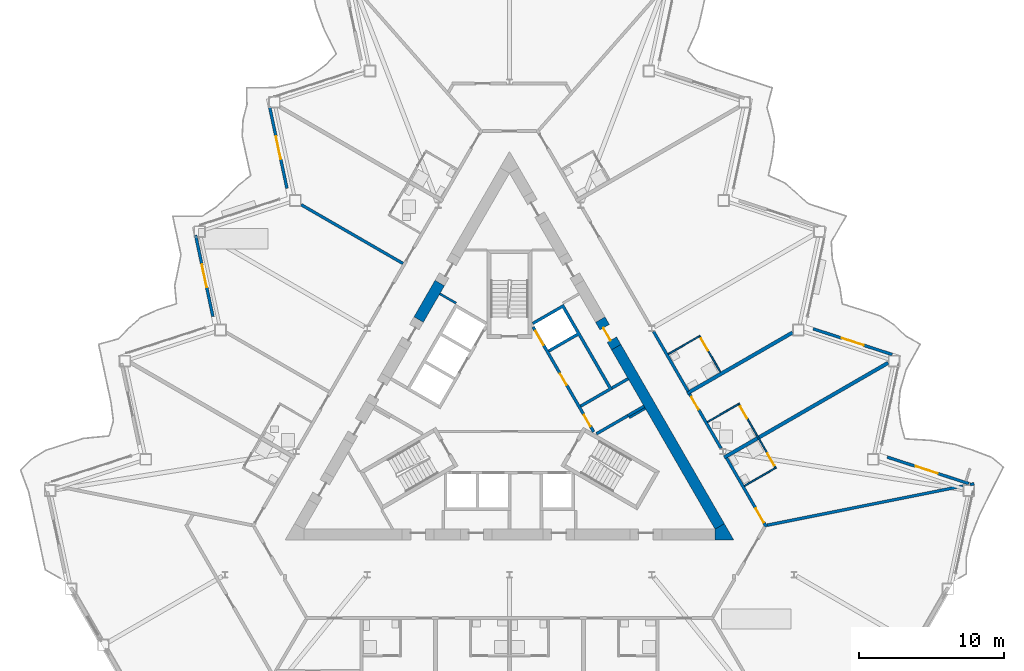
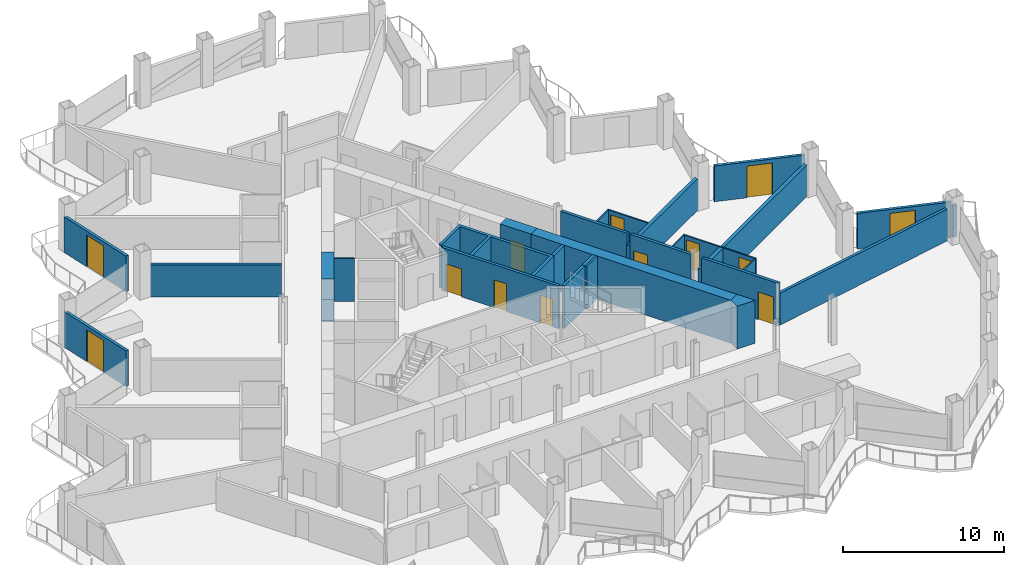
# One storey, part 13 of 23: 28 walls, 13 doors, 13 openings.
"""IFC4 building model written with IfcOpenShell, lengths in metres."""

import ifcopenshell
import ifcopenshell.guid

model = None  # the IFC model being written
_history = None  # IfcOwnerHistory: only IFC2X3 demands one
_inside = {}  # id of a spatial element -> (the spatial element, [elements in it])
_under = {}  # id of a project, library or spatial element -> (it, [spatial elements below it])
_declared = {}  # id of a project -> (the project, [libraries it declares])
_typed = {}  # id of a type object -> (the type object, [elements of that type])
_made_of = {}  # id of a material, layer set ... -> (it, [elements and type objects made of it])


def new_model(schema):
    """Start an empty IFC model of exactly this schema.

    Asked for "IFC4X3", IfcOpenShell would pick the latest addendum, in which some entities
    have other attributes; the version numbers below select the first issue.
    IFC2X3 requires an IfcOwnerHistory on every rooted entity: one is made here for all.
    """
    global model, _history
    if schema == "IFC4X3":
        model = ifcopenshell.file(schema_version=(4, 3, 0, 0))
    else:
        model = ifcopenshell.file(schema=schema)
    _inside.clear()
    _under.clear()
    _declared.clear()
    _typed.clear()
    _made_of.clear()
    _history = None
    if model.schema == "IFC2X3":
        org = make("IfcOrganization", Name="unknown")
        user = make(
            "IfcPersonAndOrganization",
            ThePerson=make("IfcPerson", FamilyName="unknown"),
            TheOrganization=org,
        )
        app = make(
            "IfcApplication",
            ApplicationDeveloper=org,
            Version="unknown",
            ApplicationFullName="unknown",
            ApplicationIdentifier="unknown",
        )
        _history = make(
            "IfcOwnerHistory",
            OwningUser=user,
            OwningApplication=app,
            ChangeAction="ADDED",
            CreationDate=0,
        )
    return model


def make(cls, **values):
    """One entity of the class cls with the attributes given. An attribute that is None is left unset."""
    return model.create_entity(
        cls, **{name: value for name, value in values.items() if value is not None}
    )


def rooted(cls, **values):
    """An entity with a GlobalId (a new one), such as an element, a storey or a relation."""
    return make(cls, GlobalId=ifcopenshell.guid.new(), OwnerHistory=_history, **values)


def si_unit(unit_type, name, prefix=None):
    """IfcSIUnit, for example si_unit("LENGTHUNIT", "METRE", prefix="MILLI")."""
    return make("IfcSIUnit", UnitType=unit_type, Prefix=prefix, Name=name)


def assignment(units):
    """IfcUnitAssignment: the units of a project."""
    return None if units is None else make("IfcUnitAssignment", Units=units)


def point(xyz):
    """IfcCartesianPoint."""
    return None if xyz is None else make("IfcCartesianPoint", Coordinates=xyz)


def direction(xyz):
    """IfcDirection."""
    return None if xyz is None else make("IfcDirection", DirectionRatios=xyz)


def frame(location, z_axis=None, x_axis=None):
    """IfcAxis2Placement3D, a coordinate frame: its origin and axes. An axis left out is left unset."""
    return make(
        "IfcAxis2Placement3D",
        Location=point(location),
        Axis=direction(z_axis),
        RefDirection=direction(x_axis),
    )


def frame_2d(location, x_axis=None):
    """IfcAxis2Placement2D, a coordinate frame in the plane: its origin and x axis."""
    return make(
        "IfcAxis2Placement2D", Location=point(location), RefDirection=direction(x_axis)
    )


def origin():
    """The frame at (0, 0, 0) with its axes left unset."""
    return frame((0.0, 0.0, 0.0))


def place(relative_to, where):
    """IfcLocalPlacement: puts the frame where relative to a parent placement (None: the world)."""
    return make(
        "IfcLocalPlacement", PlacementRelTo=relative_to, RelativePlacement=where
    )


def context(
    kind, dimensions, precision=None, world=None, true_north=None, identifier=None
):
    """IfcGeometricRepresentationContext, for example the 3D "Model" context."""
    return make(
        "IfcGeometricRepresentationContext",
        ContextIdentifier=identifier,
        ContextType=kind,
        CoordinateSpaceDimension=dimensions,
        Precision=precision,
        WorldCoordinateSystem=world,
        TrueNorth=true_north,
    )


def subcontext(parent, identifier, kind, view, scale=None):
    """IfcGeometricRepresentationSubContext, for example "Body" below "Model"."""
    return make(
        "IfcGeometricRepresentationSubContext",
        ContextIdentifier=identifier,
        ContextType=kind,
        ParentContext=parent,
        TargetScale=scale,
        TargetView=view,
    )


def project(units=None, contexts=None):
    """IfcProject with its units and contexts."""
    return rooted(
        "IfcProject",
        Name="project",
        RepresentationContexts=contexts,
        UnitsInContext=assignment(units),
    )


def spatial(cls, under=None, at=None, **own):
    """A site, building, storey or space (cls), placed at a placement, below another one or the project."""
    s = rooted(cls, ObjectPlacement=at, **own)
    if under is not None:
        _under.setdefault(under.id(), (under, []))[1].append(s)
    return s


def polyline(points):
    """IfcPolyline through the points."""
    return make("IfcPolyline", Points=[point(p) for p in points])


def profile(cls, at=None, kind="AREA", **sizes):
    """A parametric profile (cls). Its sizes go by their IFC names, for example OverallWidth=200.0."""
    return make(cls, ProfileType=kind, Position=at, **sizes)


def rectangle(**sizes):
    """IfcRectangleProfileDef."""
    return profile("IfcRectangleProfileDef", **sizes)


def outline(outer, holes=None, kind="AREA"):
    """IfcArbitraryClosedProfileDef: a profile drawn as a closed curve; with holes, ...WithVoids."""
    if holes is None:
        return make("IfcArbitraryClosedProfileDef", ProfileType=kind, OuterCurve=outer)
    return make(
        "IfcArbitraryProfileDefWithVoids",
        ProfileType=kind,
        OuterCurve=outer,
        InnerCurves=holes,
    )


def extrude(swept, where, along, depth):
    """IfcExtrudedAreaSolid: the profile swept, set in the frame where, extruded along a direction by depth."""
    return make(
        "IfcExtrudedAreaSolid",
        SweptArea=swept,
        Position=where,
        ExtrudedDirection=direction(along),
        Depth=depth,
    )


def shape(context_of_items, identifier, shape_type, items):
    """IfcShapeRepresentation: the items that make up one representation, for example the "Body"."""
    return make(
        "IfcShapeRepresentation",
        ContextOfItems=context_of_items,
        RepresentationIdentifier=identifier,
        RepresentationType=shape_type,
        Items=items,
    )


def material(Name=None, Category=None):
    """IfcMaterial."""
    return make("IfcMaterial", Name=Name, Category=Category)


def layer(
    of_material, thickness, ventilated=None, Name=None, Category=None, Priority=None
):
    """IfcMaterialLayer: one layer of a wall or slab, of a material (None: an air gap)."""
    return make(
        "IfcMaterialLayer",
        Material=of_material,
        LayerThickness=thickness,
        IsVentilated=ventilated,
        Name=Name,
        Category=Category,
        Priority=Priority,
    )


def layer_set(layers, Name=None):
    """IfcMaterialLayerSet."""
    return make("IfcMaterialLayerSet", MaterialLayers=layers, LayerSetName=Name)


def made_of(thing, what):
    """Note that an element or type object is made of a material, layer set ...; save() writes the relation."""
    if what is not None:
        _made_of.setdefault(what.id(), (what, []))[1].append(thing)
    return thing


def type_object(cls, material=None, **own):
    """A type object (cls), such as IfcWallType, which elements share."""
    return made_of(rooted(cls, **own), material)


def element(
    cls,
    number,
    at=None,
    inside=None,
    cuts=None,
    type_object=None,
    material=None,
    context=None,
    identifier="Body",
    shape_type=None,
    held_by="IfcProductDefinitionShape",
    body=None,
    shapes=None,
    **own,
):
    """One element of the class cls, such as IfcWall. Its Tag is "e" and its number.

    at: its placement. inside: the storey or other place that contains it. cuts: it is an
    opening in that element (IfcRelVoidsElement). A single representation is given by context,
    identifier, shape_type and body (its items); several are given by shapes. held_by: the class
    of the entity that holds the representations. save() writes the other relations.
    """
    e = rooted(cls, Tag="e%d" % number, ObjectPlacement=at, **own)
    if body is not None:
        shapes = [shape(context, identifier, shape_type, body)]
    if shapes is not None:
        e.Representation = make(held_by, Representations=shapes)
    if inside is not None:
        _inside.setdefault(inside.id(), (inside, []))[1].append(e)
    if cuts is not None:
        rooted(
            "IfcRelVoidsElement", RelatingBuildingElement=cuts, RelatedOpeningElement=e
        )
    if type_object is not None:
        _typed.setdefault(type_object.id(), (type_object, []))[1].append(e)
    return made_of(e, material)


def fill(opening, filler):
    """IfcRelFillsElement: the door or window that sits in an opening."""
    return rooted(
        "IfcRelFillsElement",
        RelatingOpeningElement=opening,
        RelatedBuildingElement=filler,
    )


def aggregate(whole, parts):
    """IfcRelAggregates: a whole, such as a stair, and the parts it consists of."""
    return rooted("IfcRelAggregates", RelatingObject=whole, RelatedObjects=parts)


def save(model, path):
    """Write the relations noted so far, then the file.

    IfcRelAggregates (storeys below a building ...), IfcRelContainedInSpatialStructure (elements
    in a storey), IfcRelDefinesByType, IfcRelAssociatesMaterial and IfcRelDeclares: one each for
    every whole, place, type object, material and project.
    """
    for whole, parts in _under.values():
        aggregate(whole, parts)
    for where, things in _inside.values():
        rooted(
            "IfcRelContainedInSpatialStructure",
            RelatedElements=things,
            RelatingStructure=where,
        )
    for kind, things in _typed.values():
        rooted("IfcRelDefinesByType", RelatedObjects=things, RelatingType=kind)
    for what, things in _made_of.values():
        rooted("IfcRelAssociatesMaterial", RelatedObjects=things, RelatingMaterial=what)
    for by, libraries in _declared.values():
        rooted("IfcRelDeclares", RelatingContext=by, RelatedDefinitions=libraries)
    model.write(path)


model = new_model("IFC4")

# Units and contexts
model_context = context("Model", 3, precision=1e-05, world=origin(), true_north=direction((0.0, 1.0)))
body_context = subcontext(model_context, "Body", "Model", "MODEL_VIEW")
ifc_project = project(units=[si_unit("LENGTHUNIT", "METRE"), si_unit("AREAUNIT", "SQUARE_METRE"), si_unit("VOLUMEUNIT", "CUBIC_METRE"), si_unit("PLANEANGLEUNIT", "RADIAN"), si_unit("MASSUNIT", "GRAM", prefix="KILO")], contexts=[model_context])

# Site, building, storey
site_placement = place(None, origin())
site = spatial("IfcSite", under=ifc_project, at=site_placement, CompositionType="ELEMENT")
building_placement = place(site_placement, origin())
building = spatial("IfcBuilding", under=site, at=building_placement, Name="Cormorant Prow Tower", CompositionType="ELEMENT")
storey_placement = place(building_placement, frame((0.0, 0.0, 176.39990234375)))
storey = spatial("IfcBuildingStorey", under=building, at=storey_placement, Name="L37", CompositionType="ELEMENT", Elevation=176.39990234375)

# Walls
ifc_material_1 = material(Name="Gypsum board partition")
ifc_layer_1 = layer(ifc_material_1, 0.14990234375)
ifc_layer_set_1 = layer_set([ifc_layer_1], Name="Gypsum board partition")
wall_type_1 = type_object("IfcWallType", Name="Core partition 150", PredefinedType="PARTITIONING", material=ifc_layer_set_1)
for number, where, z_axis, x_axis, name in (
    (1, (8.268310546875, -0.509033203125, 0.0), (0.0, 0.0, 1.0), (0.866003189247, 0.500038474733, 0.0), "Service room partition"),
    (2, (-3.693359375, 7.4150390625, 0.0), (0.0, 0.0, 1.0), (-0.866003189247, 0.500038474733, 0.0), "Service room partition"),
):
    element("IfcWall", number, at=place(storey_placement, frame(where, z_axis=z_axis, x_axis=x_axis)), inside=storey, type_object=wall_type_1, Name=name, PredefinedType="PARTITIONING", context=body_context, shape_type="SweptSolid", body=[
        extrude(rectangle(XDim=1.29296875, YDim=0.14990234375, at=frame_2d((0.646484375, 0.0))), origin(), (0.0, 0.0, 1.0), 3.25),
    ])
ifc_material_2 = material(Name="Concrete 8000 psi", Category="concrete")
ifc_layer_2 = layer(ifc_material_2, 0.75)
ifc_layer_set_2 = layer_set([ifc_layer_2], Name="Concrete 8000 psi")
wall_type_2 = type_object("IfcWallType", Name="Core shear wall 750", PredefinedType="SHEAR", material=ifc_layer_set_2)
wall_1_placement = place(storey_placement, frame((14.525634765625, -8.011474609375, 0.0), z_axis=(0.0, 0.0, 1.0), x_axis=(-0.499994855372, 0.866028374016, 0.0)))
element("IfcWall", 3, at=wall_1_placement, inside=storey, type_object=wall_type_2, Name="Core wall", PredefinedType="SHEAR", context=body_context, shape_type="SweptSolid", body=[
    extrude(rectangle(XDim=14.301025390625, YDim=0.75, at=frame_2d((7.150390625, 0.0))), origin(), (0.0, 0.0, 1.0), 3.25),
])
wall_2_placement = place(storey_placement, frame((-4.8173828125, 8.803955078125, 0.0), z_axis=(0.0, 0.0, 1.0), x_axis=(-0.500029273391, -0.866008502124, 0.0)))
element("IfcWall", 4, at=wall_2_placement, inside=storey, type_object=wall_type_2, Name="Core wall", PredefinedType="SHEAR", context=body_context, shape_type="SweptSolid", body=[
    extrude(rectangle(XDim=2.915771484375, YDim=0.75, at=frame_2d((1.4580078125, 0.0))), origin(), (0.0, 0.0, 1.0), 3.25),
])
wall_3_placement = place(storey_placement, origin())
element("IfcWall", 5, at=wall_3_placement, inside=storey, type_object=wall_type_2, Name="Core wall corner", PredefinedType="SHEAR", context=body_context, shape_type="SweptSolid", body=[
    extrude(outline(polyline([(14.200927734375, -8.948974609375), (14.200927734375, -8.198974609375), (14.8505859375, -7.823974609375), (15.5, -8.948974609375), (14.200927734375, -8.948974609375)])), origin(), (0.0, 0.0, 1.0), 3.25),
])

# Wall, opening, door
wall_4_placement = place(storey_placement, frame((7.375244140625, 4.37353515625, 0.0), z_axis=(0.0, 0.0, 1.0), x_axis=(-0.499946605688, 0.86605622881, 0.0)))
wall_4 = element("IfcWall", 6, at=wall_4_placement, inside=storey, type_object=wall_type_2, Name="Core wall door panel", PredefinedType="SHEAR", context=body_context, shape_type="SweptSolid", body=[
    extrude(rectangle(XDim=2.199951171875, YDim=0.75, at=frame_2d((1.10009765625, 0.0))), origin(), (0.0, 0.0, 1.0), 3.25),
])
opening_1_placement = place(wall_4_placement, frame((0.60009765625, 0.0, 0.0)))
opening_1 = element("IfcOpeningElement", 7, at=opening_1_placement, cuts=wall_4, Name="Opening L37-C19", PredefinedType="OPENING", context=body_context, shape_type="SweptSolid", body=[
    extrude(rectangle(XDim=1.0, YDim=2.10009765625, at=frame_2d((0.5, 1.050048828125))), frame((0.0, 0.385009765625, 0.0), z_axis=(0.0, -1.0, 0.0), x_axis=(1.0, 0.0, 0.0)), (0.0, 0.0, 1.0), 0.77001953125),
])
ifc_material_3 = material(Name="Painted steel", Category="steel")
door_type_1 = type_object("IfcDoorType", Name="Service door 1000x2100", OperationType="NOTDEFINED", PredefinedType="DOOR", material=ifc_material_3)
door_1_placement = place(opening_1_placement, origin())
door_1 = element("IfcDoor", 8, at=door_1_placement, inside=storey, type_object=door_type_1, Name="Core door, Telecom room", OperationType="SINGLE_SWING_RIGHT", OverallHeight=2.10009765625, OverallWidth=1.0, PredefinedType="DOOR", context=body_context, shape_type="SweptSolid", body=[
    extrude(rectangle(XDim=1.0, YDim=2.10009765625, at=frame_2d((0.5, 1.050048828125))), frame((0.0, 0.1298828125, 0.0), z_axis=(0.0, -1.0, 0.0), x_axis=(1.0, 0.0, 0.0)), (0.0, 0.0, 1.0), 0.050048828125),
])
fill(opening_1, door_1)

ifc_material_4 = material(Name="Gypsum board corridor wall")
ifc_layer_3 = layer(ifc_material_4, 0.199951171875)
ifc_layer_set_3 = layer_set([ifc_layer_3], Name="Gypsum board corridor wall")
wall_type_3 = type_object("IfcWallType", Name="Corridor wall 200", PredefinedType="PARTITIONING", material=ifc_layer_set_3)
wall_5_placement = place(storey_placement, frame((15.001708984375, -3.285888671875, 0.0), z_axis=(0.0, 0.0, 1.0), x_axis=(0.500007607708, -0.866021011428, 0.0)))
wall_5 = element("IfcWall", 9, at=wall_5_placement, inside=storey, type_object=wall_type_3, Name="Corridor wall", PredefinedType="PARTITIONING", context=body_context, shape_type="SweptSolid", body=[
    extrude(rectangle(XDim=5.484375, YDim=0.199951171875, at=frame_2d((2.7421875, 0.0))), origin(), (0.0, 0.0, 1.0), 3.25),
])
opening_2_placement = place(wall_5_placement, frame((4.0322265625, 0.0, 0.0)))
opening_2 = element("IfcOpeningElement", 10, at=opening_2_placement, cuts=wall_5, Name="Opening L37-F14", PredefinedType="OPENING", context=body_context, shape_type="SweptSolid", body=[
    extrude(rectangle(XDim=1.10009765625, YDim=2.10009765625, at=frame_2d((0.550048828125, 1.050048828125))), frame((0.0, 0.10986328125, 0.0), z_axis=(0.0, -1.0, 0.0), x_axis=(1.0, 0.0, 0.0)), (0.0, 0.0, 1.0), 0.219970703125),
])
ifc_material_5 = material(Name="Timber door leaf", Category="wood")
door_type_2 = type_object("IfcDoorType", Name="Suite entrance door 1100x2100", OperationType="NOTDEFINED", PredefinedType="DOOR", material=ifc_material_5)
door_2_placement = place(opening_2_placement, origin())
door_2 = element("IfcDoor", 11, at=door_2_placement, inside=storey, type_object=door_type_2, Name="Junior suite door", OperationType="SINGLE_SWING_RIGHT", OverallHeight=2.10009765625, OverallWidth=1.10009765625, PredefinedType="DOOR", context=body_context, shape_type="SweptSolid", body=[
    extrude(rectangle(XDim=1.10009765625, YDim=2.10009765625, at=frame_2d((0.550048828125, 1.050048828125))), frame((0.0, 0.02490234375, 0.0), z_axis=(0.0, -1.0, 0.0), x_axis=(1.0, 0.0, 0.0)), (0.0, 0.0, 1.0), 0.050048828125),
])
fill(opening_2, door_2)

# Wall
wall_6_placement = place(storey_placement, frame((9.951904296875, 5.460693359375, 0.0), z_axis=(0.0, 0.0, 1.0), x_axis=(0.499990736708, -0.866030751883, 0.0)))
element("IfcWall", 12, at=wall_6_placement, inside=storey, type_object=wall_type_3, Name="Corridor wall", PredefinedType="PARTITIONING", context=body_context, shape_type="SweptSolid", body=[
    extrude(rectangle(XDim=4.77880859375, YDim=0.199951171875, at=frame_2d((2.389404296875, 0.0))), origin(), (0.0, 0.0, 1.0), 3.25),
])

# Wall, opening, door
wall_7_placement = place(storey_placement, frame((12.44384765625, 1.14453125, 0.0), z_axis=(0.0, 0.0, 1.0), x_axis=(0.500007404367, -0.866021128829, 0.0)))
wall_7 = element("IfcWall", 13, at=wall_7_placement, inside=storey, type_object=wall_type_3, Name="Corridor wall", PredefinedType="PARTITIONING", context=body_context, shape_type="SweptSolid", body=[
    extrude(rectangle(XDim=4.35107421875, YDim=0.199951171875, at=frame_2d((2.175537109375, 0.0))), origin(), (0.0, 0.0, 1.0), 3.25),
])
opening_3_placement = place(wall_7_placement, frame((0.25, 0.0, 0.0)))
opening_3 = element("IfcOpeningElement", 14, at=opening_3_placement, cuts=wall_7, Name="Opening L37-F16", PredefinedType="OPENING", context=body_context, shape_type="SweptSolid", body=[
    extrude(rectangle(XDim=1.0, YDim=2.10009765625, at=frame_2d((0.5, 1.050048828125))), frame((0.0, 0.10986328125, 0.0), z_axis=(0.0, -1.0, 0.0), x_axis=(1.0, 0.0, 0.0)), (0.0, 0.0, 1.0), 0.219970703125),
])
ifc_material_6 = material(Name="Timber door leaf", Category="wood")
door_type_3 = type_object("IfcDoorType", Name="Flat or room entrance door 1000x2100", OperationType="NOTDEFINED", PredefinedType="DOOR", material=ifc_material_6)
door_3_placement = place(opening_3_placement, origin())
door_3 = element("IfcDoor", 15, at=door_3_placement, inside=storey, type_object=door_type_3, Name="Guest room door", OperationType="SINGLE_SWING_LEFT", OverallHeight=2.10009765625, OverallWidth=1.0, PredefinedType="DOOR", context=body_context, shape_type="SweptSolid", body=[
    extrude(rectangle(XDim=1.0, YDim=2.10009765625, at=frame_2d((0.5, 1.050048828125))), frame((0.0, 0.02490234375, 0.0), z_axis=(0.0, -1.0, 0.0), x_axis=(1.0, 0.0, 0.0)), (0.0, 0.0, 1.0), 0.050048828125),
])
fill(opening_3, door_3)

# Walls
ifc_material_7 = material(Name="Gypsum board demising wall")
ifc_layer_4 = layer(ifc_material_7, 0.199951171875)
ifc_layer_set_4 = layer_set([ifc_layer_4], Name="Gypsum board demising wall")
wall_type_4 = type_object("IfcWallType", Name="Demising wall 200", PredefinedType="PARTITIONING", material=ifc_layer_set_4)
wall_8_placement = place(storey_placement, frame((17.7919921875, -7.92919921875, 0.0), z_axis=(0.0, 0.0, 1.0), x_axis=(0.980565709097, 0.196190953266, 0.0)))
element("IfcWall", 16, at=wall_8_placement, inside=storey, type_object=wall_type_4, Name="Demising wall", PredefinedType="PARTITIONING", context=body_context, shape_type="SweptSolid", body=[
    extrude(rectangle(XDim=13.805419921875, YDim=0.199951171875, at=frame_2d((6.90283203125, 0.0))), origin(), (0.0, 0.0, 1.0), 2.404296875),
])
wall_9_placement = place(storey_placement, frame((-14.389892578125, 14.215087890625, 0.0), z_axis=(0.0, 0.0, 1.0), x_axis=(0.86602738064, -0.499996575971, 0.0)))
element("IfcWall", 17, at=wall_9_placement, inside=storey, type_object=wall_type_4, Name="Demising wall", PredefinedType="PARTITIONING", context=body_context, shape_type="SweptSolid", body=[
    extrude(rectangle(XDim=8.12060546875, YDim=0.199951171875, at=frame_2d((4.060302734375, 0.0))), origin(), (0.0, 0.0, 1.0), 2.404296875),
])
wall_10_placement = place(storey_placement, frame((31.830810546875, -5.120361328125, 0.0), z_axis=(0.0, 0.0, 1.0), x_axis=(0.980512850695, 0.19645495571, 0.0)))
element("IfcWall", 18, at=wall_10_placement, inside=storey, type_object=wall_type_4, Name="Demising wall", PredefinedType="PARTITIONING", context=body_context, shape_type="SweptSolid", body=[
    extrude(rectangle(XDim=0.277099609375, YDim=0.199951171875, at=frame_2d((0.138671875, 0.0))), origin(), (0.0, 0.0, 1.0), 2.404296875),
])

# Wall, openings, doors
ifc_material_8 = material(Name="Gypsum board partition")
ifc_layer_5 = layer(ifc_material_8, 0.10009765625)
ifc_layer_set_5 = layer_set([ifc_layer_5], Name="Gypsum board partition")
wall_type_5 = type_object("IfcWallType", Name="Internal partition 100", PredefinedType="PARTITIONING", material=ifc_layer_set_5)
wall_11_placement = place(storey_placement, frame((15.82080078125, 0.495361328125, 0.0), z_axis=(0.0, 0.0, 1.0), x_axis=(0.500006934395, -0.866021400173, 0.0)))
wall_11 = element("IfcWall", 19, at=wall_11_placement, inside=storey, type_object=wall_type_5, Name="Internal partition", PredefinedType="PARTITIONING", context=body_context, shape_type="SweptSolid", body=[
    extrude(rectangle(XDim=5.2001953125, YDim=0.10009765625, at=frame_2d((2.60009765625, 0.0))), origin(), (0.0, 0.0, 1.0), 2.404296875),
])
opening_4_placement = place(wall_11_placement, frame((4.0, 0.0, 0.0)))
opening_4 = element("IfcOpeningElement", 20, at=opening_4_placement, cuts=wall_11, Name="Opening L37-F15", PredefinedType="OPENING", context=body_context, shape_type="SweptSolid", body=[
    extrude(rectangle(XDim=0.949951171875, YDim=2.10009765625, at=frame_2d((0.47509765625, 1.050048828125))), frame((0.0, 0.06005859375, 0.0), z_axis=(0.0, -1.0, 0.0), x_axis=(1.0, 0.0, 0.0)), (0.0, 0.0, 1.0), 0.1201171875),
])
opening_5_placement = place(wall_11_placement, frame((0.25, 0.0, 0.0)))
opening_5 = element("IfcOpeningElement", 21, at=opening_5_placement, cuts=wall_11, Name="Opening L37-F17", PredefinedType="OPENING", context=body_context, shape_type="SweptSolid", body=[
    extrude(rectangle(XDim=0.949951171875, YDim=2.10009765625, at=frame_2d((0.47509765625, 1.050048828125))), frame((0.0, 0.06005859375, 0.0), z_axis=(0.0, -1.0, 0.0), x_axis=(1.0, 0.0, 0.0)), (0.0, 0.0, 1.0), 0.1201171875),
])
ifc_material_9 = material(Name="Timber door leaf", Category="wood")
door_type_4 = type_object("IfcDoorType", Name="Bathroom door 950x2100", OperationType="NOTDEFINED", PredefinedType="DOOR", material=ifc_material_9)
door_4_placement = place(opening_4_placement, origin())
door_4 = element("IfcDoor", 22, at=door_4_placement, inside=storey, type_object=door_type_4, Name="Junior suite door", OperationType="SINGLE_SWING_RIGHT", OverallHeight=2.10009765625, OverallWidth=0.949951171875, PredefinedType="DOOR", context=body_context, shape_type="SweptSolid", body=[
    extrude(rectangle(XDim=0.949951171875, YDim=2.10009765625, at=frame_2d((0.47509765625, 1.050048828125))), frame((0.0, 0.02490234375, 0.0), z_axis=(0.0, -1.0, 0.0), x_axis=(1.0, 0.0, 0.0)), (0.0, 0.0, 1.0), 0.050048828125),
])
fill(opening_4, door_4)
door_5_placement = place(opening_5_placement, origin())
door_5 = element("IfcDoor", 23, at=door_5_placement, inside=storey, type_object=door_type_4, Name="Guest room door", OperationType="SINGLE_SWING_LEFT", OverallHeight=2.10009765625, OverallWidth=0.949951171875, PredefinedType="DOOR", context=body_context, shape_type="SweptSolid", body=[
    extrude(rectangle(XDim=0.949951171875, YDim=2.10009765625, at=frame_2d((0.47509765625, 1.050048828125))), frame((0.0, 0.02490234375, 0.0), z_axis=(0.0, -1.0, 0.0), x_axis=(1.0, 0.0, 0.0)), (0.0, 0.0, 1.0), 0.050048828125),
])
fill(opening_5, door_5)

# Wall, opening, door
wall_12_placement = place(storey_placement, frame((13.113037109375, 5.185546875, 0.0), z_axis=(0.0, 0.0, 1.0), x_axis=(0.499963291492, -0.866046596414, 0.0)))
wall_12 = element("IfcWall", 24, at=wall_12_placement, inside=storey, type_object=wall_type_5, Name="Internal partition", PredefinedType="PARTITIONING", context=body_context, shape_type="SweptSolid", body=[
    extrude(rectangle(XDim=2.925048828125, YDim=0.10009765625, at=frame_2d((1.46240234375, 0.0))), origin(), (0.0, 0.0, 1.0), 2.404296875),
])
opening_6_placement = place(wall_12_placement, frame((0.25, 0.0, 0.0)))
opening_6 = element("IfcOpeningElement", 25, at=opening_6_placement, cuts=wall_12, Name="Opening L37-F19", PredefinedType="OPENING", context=body_context, shape_type="SweptSolid", body=[
    extrude(rectangle(XDim=0.949951171875, YDim=2.10009765625, at=frame_2d((0.47509765625, 1.050048828125))), frame((0.0, 0.06005859375, 0.0), z_axis=(0.0, -1.0, 0.0), x_axis=(1.0, 0.0, 0.0)), (0.0, 0.0, 1.0), 0.1201171875),
])
door_6_placement = place(opening_6_placement, origin())
door_6 = element("IfcDoor", 26, at=door_6_placement, inside=storey, type_object=door_type_4, Name="Executive suite bedroom door", OperationType="SINGLE_SWING_LEFT", OverallHeight=2.10009765625, OverallWidth=0.949951171875, PredefinedType="DOOR", context=body_context, shape_type="SweptSolid", body=[
    extrude(rectangle(XDim=0.949951171875, YDim=2.10009765625, at=frame_2d((0.47509765625, 1.050048828125))), frame((0.0, 0.02490234375, 0.0), z_axis=(0.0, -1.0, 0.0), x_axis=(1.0, 0.0, 0.0)), (0.0, 0.0, 1.0), 0.050048828125),
])
fill(opening_6, door_6)

# Walls
wall_13_placement = place(storey_placement, frame((16.230712890625, -5.214599609375, 0.0), z_axis=(0.0, 0.0, 1.0), x_axis=(0.866057815567, 0.499943856944, 0.0)))
element("IfcWall", 27, at=wall_13_placement, inside=storey, type_object=wall_type_5, Name="Internal partition", PredefinedType="PARTITIONING", context=body_context, shape_type="SweptSolid", body=[
    extrude(rectangle(XDim=2.449951171875, YDim=0.10009765625, at=frame_2d((1.22509765625, 0.0))), origin(), (0.0, 0.0, 1.0), 2.404296875),
])
wall_14_placement = place(storey_placement, frame((13.680908203125, -0.7978515625, 0.0), z_axis=(0.0, 0.0, 1.0), x_axis=(0.866032905446, 0.499987006516, 0.0)))
element("IfcWall", 28, at=wall_14_placement, inside=storey, type_object=wall_type_5, Name="Internal partition", PredefinedType="PARTITIONING", context=body_context, shape_type="SweptSolid", body=[
    extrude(rectangle(XDim=2.44970703125, YDim=0.10009765625, at=frame_2d((1.224853515625, 0.0))), origin(), (0.0, 0.0, 1.0), 2.404296875),
])
wall_15_placement = place(storey_placement, frame((10.972900390625, 3.89208984375, 0.0), z_axis=(0.0, 0.0, 1.0), x_axis=(0.866014668023, 0.500018594424, 0.0)))
element("IfcWall", 29, at=wall_15_placement, inside=storey, type_object=wall_type_5, Name="Internal partition", PredefinedType="PARTITIONING", context=body_context, shape_type="SweptSolid", body=[
    extrude(rectangle(XDim=2.4501953125, YDim=0.10009765625, at=frame_2d((1.22509765625, 0.0))), origin(), (0.0, 0.0, 1.0), 2.404296875),
])

# Wall, openings, doors
ifc_material_10 = material(Name="Concrete 5000 psi", Category="concrete")
ifc_layer_6 = layer(ifc_material_10, 0.199951171875)
ifc_layer_set_6 = layer_set([ifc_layer_6], Name="Concrete 5000 psi")
wall_type_6 = type_object("IfcWallType", Name="Lift lobby wall 200", PredefinedType="SOLIDWALL", material=ifc_layer_set_6)
wall_16_placement = place(storey_placement, frame((5.817138671875, -1.4755859375, 0.0), z_axis=(0.0, 0.0, 1.0), x_axis=(-0.500002616675, 0.866023893041, 0.0)))
wall_16 = element("IfcWall", 30, at=wall_16_placement, inside=storey, type_object=wall_type_6, Name="Lift lobby wall, ENE block", PredefinedType="SOLIDWALL", context=body_context, shape_type="SweptSolid", body=[
    extrude(rectangle(XDim=8.373046875, YDim=0.199951171875, at=frame_2d((4.1865234375, 0.0))), origin(), (0.0, 0.0, 1.0), 3.25),
])
opening_7_placement = place(wall_16_placement, frame((0.4365234375, 0.0, 0.0)))
opening_7 = element("IfcOpeningElement", 31, at=opening_7_placement, cuts=wall_16, Name="Opening L37-C05", PredefinedType="OPENING", context=body_context, shape_type="SweptSolid", body=[
    extrude(rectangle(XDim=0.89990234375, YDim=2.10009765625, at=frame_2d((0.449951171875, 1.050048828125))), frame((0.0, 0.10986328125, 0.0), z_axis=(0.0, -1.0, 0.0), x_axis=(1.0, 0.0, 0.0)), (0.0, 0.0, 1.0), 0.219970703125),
])
opening_8_placement = place(wall_16_placement, frame((3.736572265625, 0.0, 0.0)))
opening_8 = element("IfcOpeningElement", 32, at=opening_8_placement, cuts=wall_16, Name="Opening L37-C06", PredefinedType="OPENING", context=body_context, shape_type="SweptSolid", body=[
    extrude(rectangle(XDim=0.89990234375, YDim=2.10009765625, at=frame_2d((0.449951171875, 1.050048828125))), frame((0.0, 0.10986328125, 0.0), z_axis=(0.0, -1.0, 0.0), x_axis=(1.0, 0.0, 0.0)), (0.0, 0.0, 1.0), 0.219970703125),
])
opening_9_placement = place(wall_16_placement, frame((6.9365234375, 0.0, 0.0)))
opening_9 = element("IfcOpeningElement", 33, at=opening_9_placement, cuts=wall_16, Name="Opening L37-C07", PredefinedType="OPENING", context=body_context, shape_type="SweptSolid", body=[
    extrude(rectangle(XDim=1.10009765625, YDim=2.10009765625, at=frame_2d((0.550048828125, 1.050048828125))), frame((0.0, 0.10986328125, 0.0), z_axis=(0.0, -1.0, 0.0), x_axis=(1.0, 0.0, 0.0)), (0.0, 0.0, 1.0), 0.219970703125),
])
ifc_material_11 = material(Name="Painted steel", Category="steel")
door_type_5 = type_object("IfcDoorType", Name="Lift landing door 1100x2100", OperationType="SLIDING_TO_LEFT", PredefinedType="DOOR", material=ifc_material_11)
door_7_placement = place(opening_9_placement, origin())
door_7 = element("IfcDoor", 34, at=door_7_placement, inside=storey, type_object=door_type_5, Name="Landing door MR1", OperationType="SLIDING_TO_LEFT", OverallHeight=2.10009765625, OverallWidth=1.10009765625, PredefinedType="DOOR", context=body_context, shape_type="SweptSolid", body=[
    extrude(rectangle(XDim=1.10009765625, YDim=2.10009765625, at=frame_2d((0.550048828125, 1.050048828125))), frame((0.0, 0.02490234375, 0.0), z_axis=(0.0, -1.0, 0.0), x_axis=(1.0, 0.0, 0.0)), (0.0, 0.0, 1.0), 0.050048828125),
])
fill(opening_9, door_7)
ifc_material_12 = material(Name="Painted steel", Category="steel")
door_type_6 = type_object("IfcDoorType", Name="Service door 900x2100", OperationType="NOTDEFINED", PredefinedType="DOOR", material=ifc_material_12)
door_8_placement = place(opening_7_placement, origin())
door_8 = element("IfcDoor", 35, at=door_8_placement, inside=storey, type_object=door_type_6, Name="Service door, Linen store", OperationType="SINGLE_SWING_LEFT", OverallHeight=2.10009765625, OverallWidth=0.89990234375, PredefinedType="DOOR", context=body_context, shape_type="SweptSolid", body=[
    extrude(rectangle(XDim=0.89990234375, YDim=2.10009765625, at=frame_2d((0.449951171875, 1.050048828125))), frame((0.0, 0.02490234375, 0.0), z_axis=(0.0, -1.0, 0.0), x_axis=(1.0, 0.0, 0.0)), (0.0, 0.0, 1.0), 0.050048828125),
])
fill(opening_7, door_8)
door_9_placement = place(opening_8_placement, origin())
door_9 = element("IfcDoor", 36, at=door_9_placement, inside=storey, type_object=door_type_6, Name="Service door, Refuse store", OperationType="SINGLE_SWING_RIGHT", OverallHeight=2.10009765625, OverallWidth=0.89990234375, PredefinedType="DOOR", context=body_context, shape_type="SweptSolid", body=[
    extrude(rectangle(XDim=0.89990234375, YDim=2.10009765625, at=frame_2d((0.449951171875, 1.050048828125))), frame((0.0, 0.02490234375, 0.0), z_axis=(0.0, -1.0, 0.0), x_axis=(1.0, 0.0, 0.0)), (0.0, 0.0, 1.0), 0.050048828125),
])
fill(opening_8, door_9)

# Walls
ifc_material_13 = material(Name="Concrete 8000 psi", Category="concrete")
ifc_layer_7 = layer(ifc_material_13, 0.199951171875)
ifc_layer_set_7 = layer_set([ifc_layer_7], Name="Concrete 8000 psi")
wall_type_7 = type_object("IfcWallType", Name="Lift shaft wall 200", PredefinedType="SHEAR", material=ifc_layer_set_7)
wall_17_placement = place(storey_placement, origin())
element("IfcWall", 37, at=wall_17_placement, inside=storey, type_object=wall_type_7, Name="Lift shaft walls, ENE block", PredefinedType="SHEAR", context=body_context, shape_type="SweptSolid", body=[
    extrude(outline(polyline([(1.560546875, 6.09716796875), (3.730712890625, 7.35009765625), (7.130859375, 1.461181640625), (4.96044921875, 0.2080078125), (4.860595703125, 0.38134765625), (6.852294921875, 1.53125), (4.75244140625, 5.168701171875), (2.760498046875, 4.018798828125), (2.660400390625, 4.19189453125), (4.65234375, 5.341796875), (3.65234375, 7.073974609375), (1.660400390625, 5.923828125), (1.560546875, 6.09716796875)])), origin(), (0.0, 0.0, 1.0), 3.25),
])
wall_18_placement = place(storey_placement, origin())
element("IfcWall", 38, at=wall_18_placement, inside=storey, type_object=wall_type_7, Name="Lift shaft walls, ENE block", PredefinedType="SHEAR", context=body_context, shape_type="SweptSolid", body=[
    extrude(outline(polyline([(8.230712890625, -0.444091796875), (6.060546875, -1.697021484375), (5.96044921875, -1.52392578125), (8.130859375, -0.27099609375), (8.230712890625, -0.444091796875)])), origin(), (0.0, 0.0, 1.0), 3.25),
])
for number, where, z_axis, x_axis, name in (
    (39, (8.180908203125, -0.357421875, 0.0), (0.0, 0.0, 1.0), (0.866003189247, 0.500038474733, 0.0), "Store side wall"),
    (40, (7.080810546875, 1.547607421875, 0.0), (0.0, 0.0, 1.0), (0.866003189247, 0.500038474733, 0.0), "Store side wall"),
):
    element("IfcWall", number, at=place(storey_placement, frame(where, z_axis=z_axis, x_axis=x_axis)), inside=storey, type_object=wall_type_7, Name=name, PredefinedType="SHEAR", context=body_context, shape_type="SweptSolid", body=[
        extrude(rectangle(XDim=1.29296875, YDim=0.199951171875, at=frame_2d((0.646484375, 0.0))), origin(), (0.0, 0.0, 1.0), 3.25),
    ])
ifc_material_14 = material(Name="Acoustic gypsum party wall")
ifc_layer_8 = layer(ifc_material_14, 0.25)
ifc_layer_set_8 = layer_set([ifc_layer_8], Name="Acoustic gypsum party wall")
wall_type_8 = type_object("IfcWallType", Name="Suite party wall 250", PredefinedType="PARTITIONING", material=ifc_layer_set_8)
wall_19_placement = place(storey_placement, frame((14.8359375, -3.248779296875, 0.0), z_axis=(0.0, 0.0, 1.0), x_axis=(0.866022412254, 0.500005181446, 0.0)))
element("IfcWall", 41, at=wall_19_placement, inside=storey, type_object=wall_type_8, Name="Suite party wall", PredefinedType="PARTITIONING", context=body_context, shape_type="SweptSolid", body=[
    extrude(rectangle(XDim=13.080810546875, YDim=0.25, at=frame_2d((6.54052734375, 0.0))), origin(), (0.0, 0.0, 1.0), 2.404296875),
])
wall_20_placement = place(storey_placement, frame((12.278076171875, 1.181640625, 0.0), z_axis=(0.0, 0.0, 1.0), x_axis=(0.866024457297, 0.500001639361, 0.0)))
element("IfcWall", 42, at=wall_20_placement, inside=storey, type_object=wall_type_8, Name="Suite party wall", PredefinedType="PARTITIONING", context=body_context, shape_type="SweptSolid", body=[
    extrude(rectangle(XDim=8.40234375, YDim=0.25, at=frame_2d((4.201171875, 0.0))), origin(), (0.0, 0.0, 1.0), 2.404296875),
])

# Wall, opening, door
ifc_material_15 = material(Name="Terracotta", Category="masonry")
ifc_layer_9 = layer(ifc_material_15, 0.199951171875)
ifc_layer_set_9 = layer_set([ifc_layer_9], Name="Terracotta")
wall_type_9 = type_object("IfcWallType", Name="Terracotta jamb wall 200", PredefinedType="SOLIDWALL", material=ifc_layer_set_9)
wall_21_placement = place(storey_placement, frame((31.742919921875, -5.05419921875, 0.0), z_axis=(0.0, 0.0, 1.0), x_axis=(-0.951061260164, 0.309002393867, 0.0)))
wall_21 = element("IfcWall", 43, at=wall_21_placement, inside=storey, type_object=wall_type_9, Name="Terracotta jamb wall ENE01", PredefinedType="SOLIDWALL", context=body_context, shape_type="SweptSolid", body=[
    extrude(rectangle(XDim=5.9375, YDim=0.199951171875, at=frame_2d((2.96875, 0.0))), origin(), (0.0, 0.0, 1.0), 2.700927734375),
])
opening_10_placement = place(wall_21_placement, frame((2.263671875, 0.0, 0.0)))
opening_10 = element("IfcOpeningElement", 44, at=opening_10_placement, cuts=wall_21, Name="Opening ED37.06", PredefinedType="OPENING", context=body_context, shape_type="SweptSolid", body=[
    extrude(rectangle(XDim=1.60009765625, YDim=2.39990234375, at=frame_2d((0.800048828125, 1.199951171875))), frame((0.0, 0.10986328125, 0.0), z_axis=(0.0, -1.0, 0.0), x_axis=(1.0, 0.0, 0.0)), (0.0, 0.0, 1.0), 0.219970703125),
])
ifc_material_16 = material(Name="Aluminium 6063-T6", Category="aluminium")
door_type_7 = type_object("IfcDoorType", Name="Balcony door 1600x2400", OperationType="DOUBLE_DOOR_SINGLE_SWING", PredefinedType="DOOR", material=ifc_material_16)
door_10_placement = place(opening_10_placement, origin())
door_10 = element("IfcDoor", 45, at=door_10_placement, inside=storey, type_object=door_type_7, Name="Balcony door ENE01 ED37.06", OperationType="DOUBLE_DOOR_SINGLE_SWING", OverallHeight=2.39990234375, OverallWidth=1.60009765625, PredefinedType="DOOR", context=body_context, shape_type="SweptSolid", body=[
    extrude(rectangle(XDim=1.60009765625, YDim=2.39990234375, at=frame_2d((0.800048828125, 1.199951171875))), frame((0.0, 0.02490234375, 0.0), z_axis=(0.0, -1.0, 0.0), x_axis=(1.0, 0.0, 0.0)), (0.0, 0.0, 1.0), 0.050048828125),
])
fill(opening_10, door_10)

wall_22_placement = place(storey_placement, frame((26.44677734375, 3.864990234375, 0.0), z_axis=(0.0, 0.0, 1.0), x_axis=(-0.951043432761, 0.309057258453, 0.0)))
wall_22 = element("IfcWall", 46, at=wall_22_placement, inside=storey, type_object=wall_type_9, Name="Terracotta jamb wall ENE03", PredefinedType="SOLIDWALL", context=body_context, shape_type="SweptSolid", body=[
    extrude(rectangle(XDim=5.747802734375, YDim=0.199951171875, at=frame_2d((2.8740234375, 0.0))), origin(), (0.0, 0.0, 1.0), 2.700927734375),
])
opening_11_placement = place(wall_22_placement, frame((2.073974609375, 0.0, 0.0)))
opening_11 = element("IfcOpeningElement", 47, at=opening_11_placement, cuts=wall_22, Name="Opening ED37.07", PredefinedType="OPENING", context=body_context, shape_type="SweptSolid", body=[
    extrude(rectangle(XDim=1.60009765625, YDim=2.39990234375, at=frame_2d((0.800048828125, 1.199951171875))), frame((0.0, 0.10986328125, 0.0), z_axis=(0.0, -1.0, 0.0), x_axis=(1.0, 0.0, 0.0)), (0.0, 0.0, 1.0), 0.219970703125),
])
door_11_placement = place(opening_11_placement, origin())
door_11 = element("IfcDoor", 48, at=door_11_placement, inside=storey, type_object=door_type_7, Name="Balcony door ENE03 ED37.07", OperationType="DOUBLE_DOOR_SINGLE_SWING", OverallHeight=2.39990234375, OverallWidth=1.60009765625, PredefinedType="DOOR", context=body_context, shape_type="SweptSolid", body=[
    extrude(rectangle(XDim=1.60009765625, YDim=2.39990234375, at=frame_2d((0.800048828125, 1.199951171875))), frame((0.0, 0.02490234375, 0.0), z_axis=(0.0, -1.0, 0.0), x_axis=(1.0, 0.0, 0.0)), (0.0, 0.0, 1.0), 0.050048828125),
])
fill(opening_11, door_11)

wall_23_placement = place(storey_placement, frame((-16.570556640625, 20.97119140625, 0.0), z_axis=(0.0, 0.0, 1.0), x_axis=(0.207872471739, -0.978155936184, 0.0)))
wall_23 = element("IfcWall", 49, at=wall_23_placement, inside=storey, type_object=wall_type_9, Name="Terracotta jamb wall WNW03", PredefinedType="SOLIDWALL", context=body_context, shape_type="SweptSolid", body=[
    extrude(rectangle(XDim=5.747802734375, YDim=0.199951171875, at=frame_2d((2.8740234375, 0.0))), origin(), (0.0, 0.0, 1.0), 2.700927734375),
])
opening_12_placement = place(wall_23_placement, frame((2.073974609375, 0.0, 0.0)))
opening_12 = element("IfcOpeningElement", 50, at=opening_12_placement, cuts=wall_23, Name="Opening ED37.12", PredefinedType="OPENING", context=body_context, shape_type="SweptSolid", body=[
    extrude(rectangle(XDim=1.60009765625, YDim=2.39990234375, at=frame_2d((0.800048828125, 1.199951171875))), frame((0.0, 0.10986328125, 0.0), z_axis=(0.0, -1.0, 0.0), x_axis=(1.0, 0.0, 0.0)), (0.0, 0.0, 1.0), 0.219970703125),
])
door_12_placement = place(opening_12_placement, origin())
door_12 = element("IfcDoor", 51, at=door_12_placement, inside=storey, type_object=door_type_7, Name="Balcony door WNW03 ED37.12", OperationType="DOUBLE_DOOR_SINGLE_SWING", OverallHeight=2.39990234375, OverallWidth=1.60009765625, PredefinedType="DOOR", context=body_context, shape_type="SweptSolid", body=[
    extrude(rectangle(XDim=1.60009765625, YDim=2.39990234375, at=frame_2d((0.800048828125, 1.199951171875))), frame((0.0, 0.02490234375, 0.0), z_axis=(0.0, -1.0, 0.0), x_axis=(1.0, 0.0, 0.0)), (0.0, 0.0, 1.0), 0.050048828125),
])
fill(opening_12, door_12)

wall_24_placement = place(storey_placement, frame((-21.686279296875, 12.110595703125, 0.0), z_axis=(0.0, 0.0, 1.0), x_axis=(0.207872471739, -0.978155936184, 0.0)))
wall_24 = element("IfcWall", 52, at=wall_24_placement, inside=storey, type_object=wall_type_9, Name="Terracotta jamb wall WNW05", PredefinedType="SOLIDWALL", context=body_context, shape_type="SweptSolid", body=[
    extrude(rectangle(XDim=5.747802734375, YDim=0.199951171875, at=frame_2d((2.8740234375, 0.0))), origin(), (0.0, 0.0, 1.0), 2.700927734375),
])
opening_13_placement = place(wall_24_placement, frame((2.073974609375, 0.0, 0.0)))
opening_13 = element("IfcOpeningElement", 53, at=opening_13_placement, cuts=wall_24, Name="Opening ED37.13", PredefinedType="OPENING", context=body_context, shape_type="SweptSolid", body=[
    extrude(rectangle(XDim=1.60009765625, YDim=2.39990234375, at=frame_2d((0.800048828125, 1.199951171875))), frame((0.0, 0.10986328125, 0.0), z_axis=(0.0, -1.0, 0.0), x_axis=(1.0, 0.0, 0.0)), (0.0, 0.0, 1.0), 0.219970703125),
])
door_13_placement = place(opening_13_placement, origin())
door_13 = element("IfcDoor", 54, at=door_13_placement, inside=storey, type_object=door_type_7, Name="Balcony door WNW05 ED37.13", OperationType="DOUBLE_DOOR_SINGLE_SWING", OverallHeight=2.39990234375, OverallWidth=1.60009765625, PredefinedType="DOOR", context=body_context, shape_type="SweptSolid", body=[
    extrude(rectangle(XDim=1.60009765625, YDim=2.39990234375, at=frame_2d((0.800048828125, 1.199951171875))), frame((0.0, 0.02490234375, 0.0), z_axis=(0.0, -1.0, 0.0), x_axis=(1.0, 0.0, 0.0)), (0.0, 0.0, 1.0), 0.050048828125),
])
fill(opening_13, door_13)

save(model, "model.ifc")
